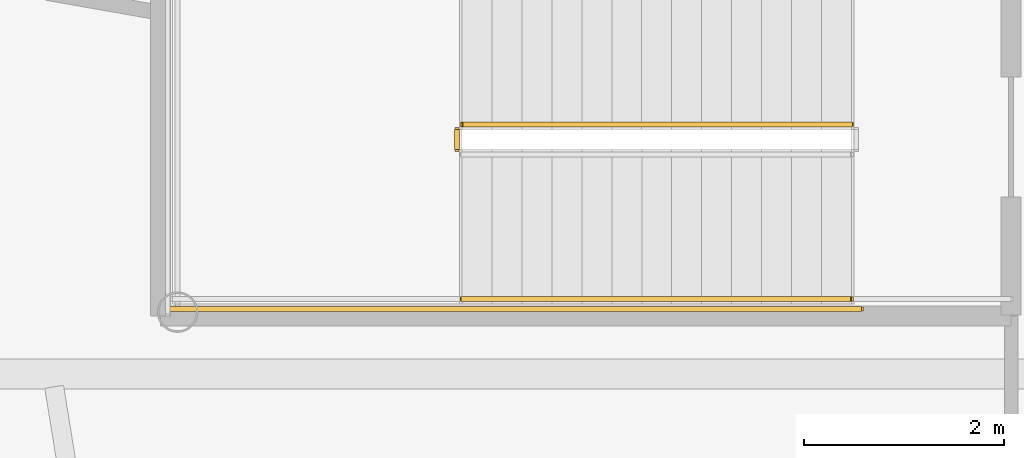
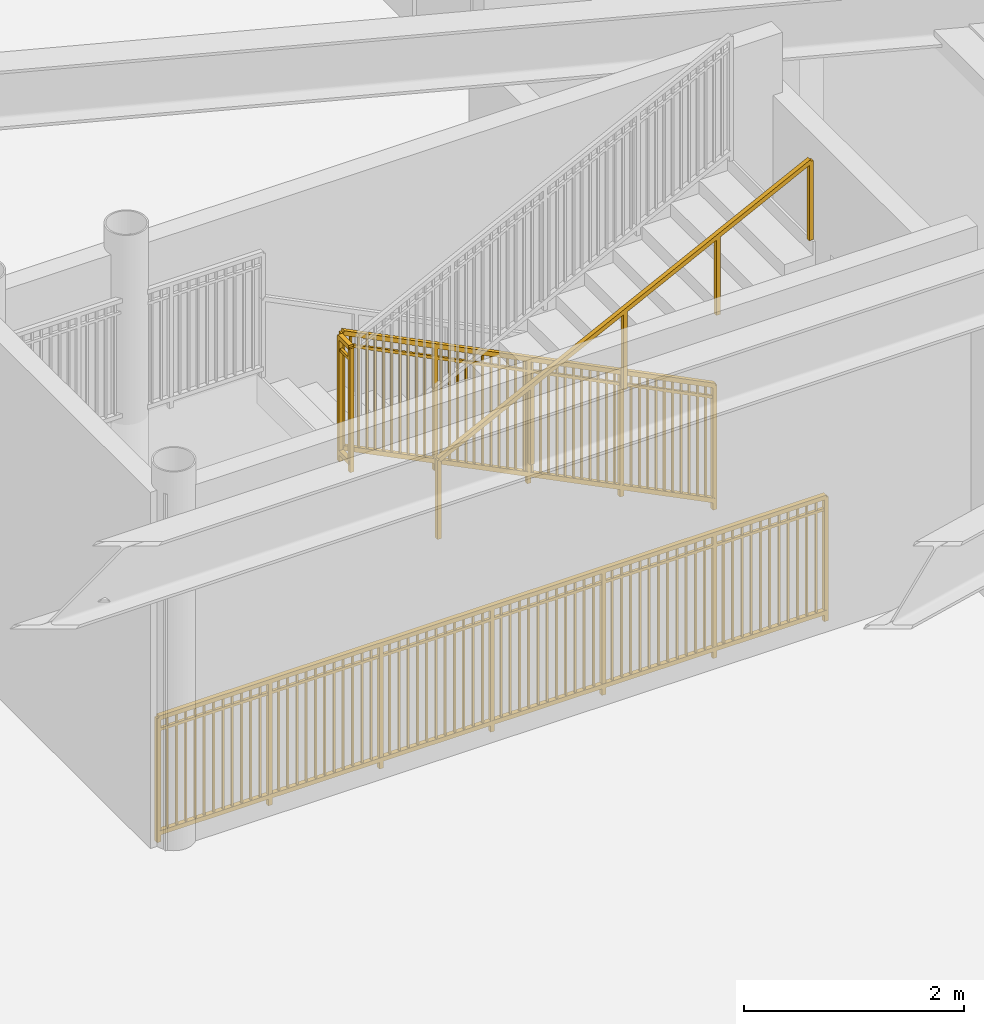
# One storey, part 18 of 28: 4 railings.
"""IFC4 building model written with IfcOpenShell, lengths in metres."""

from ifc_helpers import new_model, si_unit, direction, frame, origin, origin_2d, place, context, subcontext, project, spatial, rectangle, extrude, source, transform, mapped, material, type_object, element, save


model = new_model("IFC4")

# Units and contexts
model_context = context("Model", 3, precision=1e-05, world=origin(), true_north=direction((0.0, 1.0)))
body_context = subcontext(model_context, "Body", "Model", "MODEL_VIEW")
ifc_project = project(units=[si_unit("LENGTHUNIT", "METRE"), si_unit("AREAUNIT", "SQUARE_METRE"), si_unit("VOLUMEUNIT", "CUBIC_METRE"), si_unit("PLANEANGLEUNIT", "RADIAN"), si_unit("MASSUNIT", "GRAM", prefix="KILO")], contexts=[model_context])

# Site, building, storey
site_placement = place(None, origin())
site = spatial("IfcSite", under=ifc_project, at=site_placement, CompositionType="ELEMENT")
building_placement = place(site_placement, origin())
building = spatial("IfcBuilding", under=site, at=building_placement, Name="Linh Dai School and Residence Tower", CompositionType="ELEMENT")
storey_placement = place(building_placement, frame((0.0, 0.0, 36.60009765625)))
storey = spatial("IfcBuildingStorey", under=building, at=storey_placement, Name="L08", CompositionType="ELEMENT", Elevation=36.60009765625)

# Railings
ifc_material_1 = material(Name="Structural Steel S355JR", Category="steel")
railing_type_1 = type_object("IfcRailingType", Name="RL-ST-GUARD-1400", PredefinedType="GUARDRAIL", material=ifc_material_1)
shared_shape_1 = source(origin(), body_context, "Body", "SweptSolid", [
    extrude(rectangle(XDim=0.048095703125, YDim=0.048095703125, at=origin_2d()), frame((0.0, 0.0, 1.3759765625), z_axis=(0.0, -1.0, 0.0), x_axis=(1.0, 0.0, 0.0)), (0.0, 0.0, 1.0), 0.199951171875),
    extrude(rectangle(XDim=0.048095703125, YDim=0.048095703125, at=origin_2d()), frame((0.0, 0.0, 0.10009765625), z_axis=(0.0, -1.0, 0.0), x_axis=(1.0, 0.0, 0.0)), (0.0, 0.0, 1.0), 0.199951171875),
    extrude(rectangle(XDim=0.030029296875, YDim=0.030029296875, at=origin_2d()), frame((0.0, 0.0, 1.239990234375), z_axis=(0.0, -1.0, 0.0), x_axis=(1.0, 0.0, 0.0)), (0.0, 0.0, 1.0), 0.199951171875),
    extrude(rectangle(XDim=0.0419921875, YDim=0.0419921875, at=origin_2d()), origin(), (0.0, 0.0, 1.0), 1.3759765625),
    extrude(rectangle(XDim=0.0419921875, YDim=0.0419921875, at=origin_2d()), frame((0.0, -0.199951171875, 0.0)), (0.0, 0.0, 1.0), 1.3759765625),
])
railing_1_placement = place(storey_placement, frame((18.449951171875, 29.449951171875, 2.099853515625)))
element("IfcRailing", 1, at=railing_1_placement, inside=storey, type_object=railing_type_1, Name="L08 STS1 stair guard 2", PredefinedType="GUARDRAIL", context=body_context, shape_type="MappedRepresentation", body=[
    mapped(shared_shape_1, transform((0.0, 0.0, 0.0), x_axis=(1.0, 0.0, 0.0), y_axis=(0.0, 1.0, 0.0), z_axis=(0.0, 0.0, 1.0), scale=1.0)),
])
shared_shape_2 = source(origin(), body_context, "Body", "SweptSolid", [
    extrude(rectangle(XDim=0.048095703125, YDim=0.048095703125, at=origin_2d()), frame((0.0, 0.0, 1.3759765625), z_axis=(-1.0, 0.0, 0.0), x_axis=(0.0, -1.0, 0.0)), (0.0, 0.0, 1.0), 7.0),
    extrude(rectangle(XDim=0.048095703125, YDim=0.048095703125, at=origin_2d()), frame((0.0, 0.0, 0.10009765625), z_axis=(-1.0, 0.0, 0.0), x_axis=(0.0, -1.0, 0.0)), (0.0, 0.0, 1.0), 7.0),
    extrude(rectangle(XDim=0.030029296875, YDim=0.030029296875, at=origin_2d()), frame((0.0, 0.0, 1.239990234375), z_axis=(-1.0, 0.0, 0.0), x_axis=(0.0, -1.0, 0.0)), (0.0, 0.0, 1.0), 7.0),
    extrude(rectangle(XDim=0.02001953125, YDim=0.02001953125, at=origin_2d()), frame((-0.09716796875, 0.0, 0.10009765625)), (0.0, 0.0, 1.0), 1.251708984375),
    extrude(rectangle(XDim=0.02001953125, YDim=0.02001953125, at=origin_2d()), frame((-0.1943359375, 0.0, 0.10009765625)), (0.0, 0.0, 1.0), 1.251708984375),
    extrude(rectangle(XDim=0.02001953125, YDim=0.02001953125, at=origin_2d()), frame((-0.291748046875, 0.0, 0.10009765625)), (0.0, 0.0, 1.0), 1.251708984375),
    extrude(rectangle(XDim=0.02001953125, YDim=0.02001953125, at=origin_2d()), frame((-0.388916015625, 0.0, 0.10009765625)), (0.0, 0.0, 1.0), 1.251708984375),
    extrude(rectangle(XDim=0.02001953125, YDim=0.02001953125, at=origin_2d()), frame((-0.486083984375, 0.0, 0.10009765625)), (0.0, 0.0, 1.0), 1.251708984375),
    extrude(rectangle(XDim=0.02001953125, YDim=0.02001953125, at=origin_2d()), frame((-0.583251953125, 0.0, 0.10009765625)), (0.0, 0.0, 1.0), 1.251708984375),
    extrude(rectangle(XDim=0.02001953125, YDim=0.02001953125, at=origin_2d()), frame((-0.6806640625, 0.0, 0.10009765625)), (0.0, 0.0, 1.0), 1.251708984375),
    extrude(rectangle(XDim=0.02001953125, YDim=0.02001953125, at=origin_2d()), frame((-0.77783203125, 0.0, 0.10009765625)), (0.0, 0.0, 1.0), 1.251708984375),
    extrude(rectangle(XDim=0.02001953125, YDim=0.02001953125, at=origin_2d()), frame((-0.875, 0.0, 0.10009765625)), (0.0, 0.0, 1.0), 1.251708984375),
    extrude(rectangle(XDim=0.02001953125, YDim=0.02001953125, at=origin_2d()), frame((-0.97216796875, 0.0, 0.10009765625)), (0.0, 0.0, 1.0), 1.251708984375),
    extrude(rectangle(XDim=0.02001953125, YDim=0.02001953125, at=origin_2d()), frame((-1.0693359375, 0.0, 0.10009765625)), (0.0, 0.0, 1.0), 1.251708984375),
    extrude(rectangle(XDim=0.02001953125, YDim=0.02001953125, at=origin_2d()), frame((-1.263916015625, 0.0, 0.10009765625)), (0.0, 0.0, 1.0), 1.251708984375),
    extrude(rectangle(XDim=0.02001953125, YDim=0.02001953125, at=origin_2d()), frame((-1.361083984375, 0.0, 0.10009765625)), (0.0, 0.0, 1.0), 1.251708984375),
    extrude(rectangle(XDim=0.02001953125, YDim=0.02001953125, at=origin_2d()), frame((-1.458251953125, 0.0, 0.10009765625)), (0.0, 0.0, 1.0), 1.251708984375),
    extrude(rectangle(XDim=0.02001953125, YDim=0.02001953125, at=origin_2d()), frame((-1.5556640625, 0.0, 0.10009765625)), (0.0, 0.0, 1.0), 1.251708984375),
    extrude(rectangle(XDim=0.02001953125, YDim=0.02001953125, at=origin_2d()), frame((-1.65283203125, 0.0, 0.10009765625)), (0.0, 0.0, 1.0), 1.251708984375),
    extrude(rectangle(XDim=0.02001953125, YDim=0.02001953125, at=origin_2d()), frame((-1.75, 0.0, 0.10009765625)), (0.0, 0.0, 1.0), 1.251708984375),
    extrude(rectangle(XDim=0.02001953125, YDim=0.02001953125, at=origin_2d()), frame((-1.84716796875, 0.0, 0.10009765625)), (0.0, 0.0, 1.0), 1.251708984375),
    extrude(rectangle(XDim=0.02001953125, YDim=0.02001953125, at=origin_2d()), frame((-1.9443359375, 0.0, 0.10009765625)), (0.0, 0.0, 1.0), 1.251708984375),
    extrude(rectangle(XDim=0.02001953125, YDim=0.02001953125, at=origin_2d()), frame((-2.041748046875, 0.0, 0.10009765625)), (0.0, 0.0, 1.0), 1.251708984375),
    extrude(rectangle(XDim=0.02001953125, YDim=0.02001953125, at=origin_2d()), frame((-2.138916015625, 0.0, 0.10009765625)), (0.0, 0.0, 1.0), 1.251708984375),
    extrude(rectangle(XDim=0.02001953125, YDim=0.02001953125, at=origin_2d()), frame((-2.236083984375, 0.0, 0.10009765625)), (0.0, 0.0, 1.0), 1.251708984375),
    extrude(rectangle(XDim=0.02001953125, YDim=0.02001953125, at=origin_2d()), frame((-2.4306640625, 0.0, 0.10009765625)), (0.0, 0.0, 1.0), 1.251708984375),
    extrude(rectangle(XDim=0.02001953125, YDim=0.02001953125, at=origin_2d()), frame((-2.52783203125, 0.0, 0.10009765625)), (0.0, 0.0, 1.0), 1.251708984375),
    extrude(rectangle(XDim=0.02001953125, YDim=0.02001953125, at=origin_2d()), frame((-2.625, 0.0, 0.10009765625)), (0.0, 0.0, 1.0), 1.251708984375),
    extrude(rectangle(XDim=0.02001953125, YDim=0.02001953125, at=origin_2d()), frame((-2.72216796875, 0.0, 0.10009765625)), (0.0, 0.0, 1.0), 1.251708984375),
    extrude(rectangle(XDim=0.02001953125, YDim=0.02001953125, at=origin_2d()), frame((-2.8193359375, 0.0, 0.10009765625)), (0.0, 0.0, 1.0), 1.251708984375),
    extrude(rectangle(XDim=0.02001953125, YDim=0.02001953125, at=origin_2d()), frame((-2.916748046875, 0.0, 0.10009765625)), (0.0, 0.0, 1.0), 1.251708984375),
    extrude(rectangle(XDim=0.02001953125, YDim=0.02001953125, at=origin_2d()), frame((-3.013916015625, 0.0, 0.10009765625)), (0.0, 0.0, 1.0), 1.251708984375),
    extrude(rectangle(XDim=0.02001953125, YDim=0.02001953125, at=origin_2d()), frame((-3.111083984375, 0.0, 0.10009765625)), (0.0, 0.0, 1.0), 1.251708984375),
    extrude(rectangle(XDim=0.02001953125, YDim=0.02001953125, at=origin_2d()), frame((-3.208251953125, 0.0, 0.10009765625)), (0.0, 0.0, 1.0), 1.251708984375),
    extrude(rectangle(XDim=0.02001953125, YDim=0.02001953125, at=origin_2d()), frame((-3.3056640625, 0.0, 0.10009765625)), (0.0, 0.0, 1.0), 1.251708984375),
    extrude(rectangle(XDim=0.02001953125, YDim=0.02001953125, at=origin_2d()), frame((-3.40283203125, 0.0, 0.10009765625)), (0.0, 0.0, 1.0), 1.251708984375),
    extrude(rectangle(XDim=0.02001953125, YDim=0.02001953125, at=origin_2d()), frame((-3.59716796875, 0.0, 0.10009765625)), (0.0, 0.0, 1.0), 1.251708984375),
    extrude(rectangle(XDim=0.02001953125, YDim=0.02001953125, at=origin_2d()), frame((-3.6943359375, 0.0, 0.10009765625)), (0.0, 0.0, 1.0), 1.251708984375),
    extrude(rectangle(XDim=0.02001953125, YDim=0.02001953125, at=origin_2d()), frame((-3.791748046875, 0.0, 0.10009765625)), (0.0, 0.0, 1.0), 1.251708984375),
    extrude(rectangle(XDim=0.02001953125, YDim=0.02001953125, at=origin_2d()), frame((-3.888916015625, 0.0, 0.10009765625)), (0.0, 0.0, 1.0), 1.251708984375),
    extrude(rectangle(XDim=0.02001953125, YDim=0.02001953125, at=origin_2d()), frame((-3.986083984375, 0.0, 0.10009765625)), (0.0, 0.0, 1.0), 1.251708984375),
    extrude(rectangle(XDim=0.02001953125, YDim=0.02001953125, at=origin_2d()), frame((-4.083251953125, 0.0, 0.10009765625)), (0.0, 0.0, 1.0), 1.251708984375),
    extrude(rectangle(XDim=0.02001953125, YDim=0.02001953125, at=origin_2d()), frame((-4.1806640625, 0.0, 0.10009765625)), (0.0, 0.0, 1.0), 1.251708984375),
    extrude(rectangle(XDim=0.02001953125, YDim=0.02001953125, at=origin_2d()), frame((-4.27783203125, 0.0, 0.10009765625)), (0.0, 0.0, 1.0), 1.251708984375),
    extrude(rectangle(XDim=0.02001953125, YDim=0.02001953125, at=origin_2d()), frame((-4.375, 0.0, 0.10009765625)), (0.0, 0.0, 1.0), 1.251708984375),
    extrude(rectangle(XDim=0.02001953125, YDim=0.02001953125, at=origin_2d()), frame((-4.47216796875, 0.0, 0.10009765625)), (0.0, 0.0, 1.0), 1.251708984375),
    extrude(rectangle(XDim=0.02001953125, YDim=0.02001953125, at=origin_2d()), frame((-4.5693359375, 0.0, 0.10009765625)), (0.0, 0.0, 1.0), 1.251708984375),
    extrude(rectangle(XDim=0.02001953125, YDim=0.02001953125, at=origin_2d()), frame((-4.763916015625, 0.0, 0.10009765625)), (0.0, 0.0, 1.0), 1.251708984375),
    extrude(rectangle(XDim=0.02001953125, YDim=0.02001953125, at=origin_2d()), frame((-4.861083984375, 0.0, 0.10009765625)), (0.0, 0.0, 1.0), 1.251708984375),
    extrude(rectangle(XDim=0.02001953125, YDim=0.02001953125, at=origin_2d()), frame((-4.958251953125, 0.0, 0.10009765625)), (0.0, 0.0, 1.0), 1.251708984375),
    extrude(rectangle(XDim=0.02001953125, YDim=0.02001953125, at=origin_2d()), frame((-5.0556640625, 0.0, 0.10009765625)), (0.0, 0.0, 1.0), 1.251708984375),
    extrude(rectangle(XDim=0.02001953125, YDim=0.02001953125, at=origin_2d()), frame((-5.15283203125, 0.0, 0.10009765625)), (0.0, 0.0, 1.0), 1.251708984375),
    extrude(rectangle(XDim=0.02001953125, YDim=0.02001953125, at=origin_2d()), frame((-5.25, 0.0, 0.10009765625)), (0.0, 0.0, 1.0), 1.251708984375),
    extrude(rectangle(XDim=0.02001953125, YDim=0.02001953125, at=origin_2d()), frame((-5.34716796875, 0.0, 0.10009765625)), (0.0, 0.0, 1.0), 1.251708984375),
    extrude(rectangle(XDim=0.02001953125, YDim=0.02001953125, at=origin_2d()), frame((-5.4443359375, 0.0, 0.10009765625)), (0.0, 0.0, 1.0), 1.251708984375),
    extrude(rectangle(XDim=0.02001953125, YDim=0.02001953125, at=origin_2d()), frame((-5.541748046875, 0.0, 0.10009765625)), (0.0, 0.0, 1.0), 1.251708984375),
    extrude(rectangle(XDim=0.02001953125, YDim=0.02001953125, at=origin_2d()), frame((-5.638916015625, 0.0, 0.10009765625)), (0.0, 0.0, 1.0), 1.251708984375),
    extrude(rectangle(XDim=0.02001953125, YDim=0.02001953125, at=origin_2d()), frame((-5.736083984375, 0.0, 0.10009765625)), (0.0, 0.0, 1.0), 1.251708984375),
    extrude(rectangle(XDim=0.02001953125, YDim=0.02001953125, at=origin_2d()), frame((-5.9306640625, 0.0, 0.10009765625)), (0.0, 0.0, 1.0), 1.251708984375),
    extrude(rectangle(XDim=0.02001953125, YDim=0.02001953125, at=origin_2d()), frame((-6.02783203125, 0.0, 0.10009765625)), (0.0, 0.0, 1.0), 1.251708984375),
    extrude(rectangle(XDim=0.02001953125, YDim=0.02001953125, at=origin_2d()), frame((-6.125, 0.0, 0.10009765625)), (0.0, 0.0, 1.0), 1.251708984375),
    extrude(rectangle(XDim=0.02001953125, YDim=0.02001953125, at=origin_2d()), frame((-6.22216796875, 0.0, 0.10009765625)), (0.0, 0.0, 1.0), 1.251708984375),
    extrude(rectangle(XDim=0.02001953125, YDim=0.02001953125, at=origin_2d()), frame((-6.3193359375, 0.0, 0.10009765625)), (0.0, 0.0, 1.0), 1.251708984375),
    extrude(rectangle(XDim=0.02001953125, YDim=0.02001953125, at=origin_2d()), frame((-6.416748046875, 0.0, 0.10009765625)), (0.0, 0.0, 1.0), 1.251708984375),
    extrude(rectangle(XDim=0.02001953125, YDim=0.02001953125, at=origin_2d()), frame((-6.513916015625, 0.0, 0.10009765625)), (0.0, 0.0, 1.0), 1.251708984375),
    extrude(rectangle(XDim=0.02001953125, YDim=0.02001953125, at=origin_2d()), frame((-6.611083984375, 0.0, 0.10009765625)), (0.0, 0.0, 1.0), 1.251708984375),
    extrude(rectangle(XDim=0.02001953125, YDim=0.02001953125, at=origin_2d()), frame((-6.708251953125, 0.0, 0.10009765625)), (0.0, 0.0, 1.0), 1.251708984375),
    extrude(rectangle(XDim=0.02001953125, YDim=0.02001953125, at=origin_2d()), frame((-6.8056640625, 0.0, 0.10009765625)), (0.0, 0.0, 1.0), 1.251708984375),
    extrude(rectangle(XDim=0.02001953125, YDim=0.02001953125, at=origin_2d()), frame((-6.90283203125, 0.0, 0.10009765625)), (0.0, 0.0, 1.0), 1.251708984375),
    extrude(rectangle(XDim=0.0419921875, YDim=0.0419921875, at=origin_2d()), origin(), (0.0, 0.0, 1.0), 1.3759765625),
    extrude(rectangle(XDim=0.0419921875, YDim=0.0419921875, at=origin_2d()), frame((-1.166748046875, 0.0, 0.0)), (0.0, 0.0, 1.0), 1.3759765625),
    extrude(rectangle(XDim=0.0419921875, YDim=0.0419921875, at=origin_2d()), frame((-2.333251953125, 0.0, 0.0)), (0.0, 0.0, 1.0), 1.3759765625),
    extrude(rectangle(XDim=0.0419921875, YDim=0.0419921875, at=origin_2d()), frame((-3.5, 0.0, 0.0)), (0.0, 0.0, 1.0), 1.3759765625),
    extrude(rectangle(XDim=0.0419921875, YDim=0.0419921875, at=origin_2d()), frame((-4.666748046875, 0.0, 0.0)), (0.0, 0.0, 1.0), 1.3759765625),
    extrude(rectangle(XDim=0.0419921875, YDim=0.0419921875, at=origin_2d()), frame((-5.833251953125, 0.0, 0.0)), (0.0, 0.0, 1.0), 1.3759765625),
    extrude(rectangle(XDim=0.0419921875, YDim=0.0419921875, at=origin_2d()), frame((-7.0, 0.0, 0.0)), (0.0, 0.0, 1.0), 1.3759765625),
])
railing_2_placement = place(storey_placement, frame((22.5, 27.64990234375, 0.0)))
element("IfcRailing", 2, at=railing_2_placement, inside=storey, type_object=railing_type_1, Name="L08 STS1 stair guard 11", PredefinedType="GUARDRAIL", context=body_context, shape_type="MappedRepresentation", body=[
    mapped(shared_shape_2, transform((0.0, 0.0, 0.0), x_axis=(1.0, 0.0, 0.0), y_axis=(0.0, 1.0, 0.0), z_axis=(0.0, 0.0, 1.0), scale=1.0)),
])
ifc_material_2 = material(Name="Brushed Stainless Steel Handrail", Category="steel")
railing_type_2 = type_object("IfcRailingType", Name="RL-ST-HANDRAIL-900", PredefinedType="HANDRAIL", material=ifc_material_2)
shared_shape_3 = source(origin(), body_context, "Body", "SweptSolid", [
    extrude(rectangle(XDim=0.048095703125, YDim=0.048095703125, at=origin_2d()), frame((0.0, 0.0, 0.8759765625), z_axis=(0.894427191, 0.0, 0.4472135955), x_axis=(0.0, 1.0, 0.0)), (0.0, 0.0, 1.0), 4.360107421875),
    extrude(rectangle(XDim=0.0419921875, YDim=0.0419921875, at=origin_2d()), origin(), (0.0, 0.0, 1.0), 0.8759765625),
    extrude(rectangle(XDim=0.0419921875, YDim=0.0419921875, at=origin_2d()), frame((0.97509765625, 0.0, 0.487548828125)), (0.0, 0.0, 1.0), 0.8759765625),
    extrude(rectangle(XDim=0.0419921875, YDim=0.0419921875, at=origin_2d()), frame((1.949951171875, 0.0, 0.97509765625)), (0.0, 0.0, 1.0), 0.8759765625),
    extrude(rectangle(XDim=0.0419921875, YDim=0.0419921875, at=origin_2d()), frame((2.9248046875, 0.0, 1.46240234375)), (0.0, 0.0, 1.0), 0.8759765625),
    extrude(rectangle(XDim=0.0419921875, YDim=0.0419921875, at=origin_2d()), frame((3.89990234375, 0.0, 1.949951171875)), (0.0, 0.0, 1.0), 0.8759765625),
])
railing_3_placement = place(storey_placement, frame((18.5, 27.75, 2.25)))
element("IfcRailing", 3, at=railing_3_placement, inside=storey, type_object=railing_type_2, Name="L08 STS1 stair handrail 2", PredefinedType="HANDRAIL", context=body_context, shape_type="MappedRepresentation", body=[
    mapped(shared_shape_3, transform((0.0, 0.0, 0.0), x_axis=(1.0, 0.0, 0.0), y_axis=(0.0, 1.0, 0.0), z_axis=(0.0, 0.0, 1.0), scale=1.0)),
])
shared_shape_4 = source(origin(), body_context, "Body", "SweptSolid", [
    extrude(rectangle(XDim=0.048095703125, YDim=0.048095703125, at=origin_2d()), frame((0.0, 0.0, 1.3759765625), z_axis=(-0.894427191, 0.0, 0.4472135955), x_axis=(0.0, -1.0, 0.0)), (0.0, 0.0, 1.0), 4.360107421875),
    extrude(rectangle(XDim=0.048095703125, YDim=0.048095703125, at=origin_2d()), frame((0.0, 0.0, 0.10009765625), z_axis=(-0.894427191, 0.0, 0.4472135955), x_axis=(0.0, -1.0, 0.0)), (0.0, 0.0, 1.0), 4.360107421875),
    extrude(rectangle(XDim=0.030029296875, YDim=0.030029296875, at=origin_2d()), frame((0.0, 0.0, 1.239990234375), z_axis=(-0.894427191, 0.0, 0.4472135955), x_axis=(0.0, -1.0, 0.0)), (0.0, 0.0, 1.0), 4.360107421875),
    extrude(rectangle(XDim=0.02001953125, YDim=0.02001953125, at=origin_2d()), frame((-0.086669921875, 0.0, 0.143310546875)), (0.0, 0.0, 1.0), 1.251708984375),
    extrude(rectangle(XDim=0.02001953125, YDim=0.02001953125, at=origin_2d()), frame((-0.17333984375, 0.0, 0.186767578125)), (0.0, 0.0, 1.0), 1.251708984375),
    extrude(rectangle(XDim=0.02001953125, YDim=0.02001953125, at=origin_2d()), frame((-0.260009765625, 0.0, 0.22998046875)), (0.0, 0.0, 1.0), 1.251708984375),
    extrude(rectangle(XDim=0.02001953125, YDim=0.02001953125, at=origin_2d()), frame((-0.3466796875, 0.0, 0.2734375)), (0.0, 0.0, 1.0), 1.251708984375),
    extrude(rectangle(XDim=0.02001953125, YDim=0.02001953125, at=origin_2d()), frame((-0.433349609375, 0.0, 0.316650390625)), (0.0, 0.0, 1.0), 1.251708984375),
    extrude(rectangle(XDim=0.02001953125, YDim=0.02001953125, at=origin_2d()), frame((-0.52001953125, 0.0, 0.360107421875)), (0.0, 0.0, 1.0), 1.251708984375),
    extrude(rectangle(XDim=0.02001953125, YDim=0.02001953125, at=origin_2d()), frame((-0.606689453125, 0.0, 0.4033203125)), (0.0, 0.0, 1.0), 1.251708984375),
    extrude(rectangle(XDim=0.02001953125, YDim=0.02001953125, at=origin_2d()), frame((-0.693359375, 0.0, 0.44677734375)), (0.0, 0.0, 1.0), 1.251708984375),
    extrude(rectangle(XDim=0.02001953125, YDim=0.02001953125, at=origin_2d()), frame((-0.780029296875, 0.0, 0.489990234375)), (0.0, 0.0, 1.0), 1.251708984375),
    extrude(rectangle(XDim=0.02001953125, YDim=0.02001953125, at=origin_2d()), frame((-0.86669921875, 0.0, 0.533447265625)), (0.0, 0.0, 1.0), 1.251708984375),
    extrude(rectangle(XDim=0.02001953125, YDim=0.02001953125, at=origin_2d()), frame((-1.0400390625, 0.0, 0.6201171875)), (0.0, 0.0, 1.0), 1.251708984375),
    extrude(rectangle(XDim=0.02001953125, YDim=0.02001953125, at=origin_2d()), frame((-1.126708984375, 0.0, 0.663330078125)), (0.0, 0.0, 1.0), 1.251708984375),
    extrude(rectangle(XDim=0.02001953125, YDim=0.02001953125, at=origin_2d()), frame((-1.21337890625, 0.0, 0.706787109375)), (0.0, 0.0, 1.0), 1.251708984375),
    extrude(rectangle(XDim=0.02001953125, YDim=0.02001953125, at=origin_2d()), frame((-1.300048828125, 0.0, 0.75)), (0.0, 0.0, 1.0), 1.251708984375),
    extrude(rectangle(XDim=0.02001953125, YDim=0.02001953125, at=origin_2d()), frame((-1.38671875, 0.0, 0.79345703125)), (0.0, 0.0, 1.0), 1.251708984375),
    extrude(rectangle(XDim=0.02001953125, YDim=0.02001953125, at=origin_2d()), frame((-1.473388671875, 0.0, 0.836669921875)), (0.0, 0.0, 1.0), 1.251708984375),
    extrude(rectangle(XDim=0.02001953125, YDim=0.02001953125, at=origin_2d()), frame((-1.56005859375, 0.0, 0.880126953125)), (0.0, 0.0, 1.0), 1.251708984375),
    extrude(rectangle(XDim=0.02001953125, YDim=0.02001953125, at=origin_2d()), frame((-1.646728515625, 0.0, 0.92333984375)), (0.0, 0.0, 1.0), 1.251708984375),
    extrude(rectangle(XDim=0.02001953125, YDim=0.02001953125, at=origin_2d()), frame((-1.7333984375, 0.0, 0.966796875)), (0.0, 0.0, 1.0), 1.251708984375),
    extrude(rectangle(XDim=0.02001953125, YDim=0.02001953125, at=origin_2d()), frame((-1.820068359375, 0.0, 1.010009765625)), (0.0, 0.0, 1.0), 1.251708984375),
    extrude(rectangle(XDim=0.02001953125, YDim=0.02001953125, at=origin_2d()), frame((-1.90673828125, 0.0, 1.053466796875)), (0.0, 0.0, 1.0), 1.251708984375),
    extrude(rectangle(XDim=0.02001953125, YDim=0.02001953125, at=origin_2d()), frame((-1.9931640625, 0.0, 1.0966796875)), (0.0, 0.0, 1.0), 1.251708984375),
    extrude(rectangle(XDim=0.02001953125, YDim=0.02001953125, at=origin_2d()), frame((-2.079833984375, 0.0, 1.14013671875)), (0.0, 0.0, 1.0), 1.251708984375),
    extrude(rectangle(XDim=0.02001953125, YDim=0.02001953125, at=origin_2d()), frame((-2.16650390625, 0.0, 1.183349609375)), (0.0, 0.0, 1.0), 1.251708984375),
    extrude(rectangle(XDim=0.02001953125, YDim=0.02001953125, at=origin_2d()), frame((-2.253173828125, 0.0, 1.226806640625)), (0.0, 0.0, 1.0), 1.251708984375),
    extrude(rectangle(XDim=0.02001953125, YDim=0.02001953125, at=origin_2d()), frame((-2.33984375, 0.0, 1.27001953125)), (0.0, 0.0, 1.0), 1.251708984375),
    extrude(rectangle(XDim=0.02001953125, YDim=0.02001953125, at=origin_2d()), frame((-2.426513671875, 0.0, 1.3134765625)), (0.0, 0.0, 1.0), 1.251708984375),
    extrude(rectangle(XDim=0.02001953125, YDim=0.02001953125, at=origin_2d()), frame((-2.51318359375, 0.0, 1.356689453125)), (0.0, 0.0, 1.0), 1.251708984375),
    extrude(rectangle(XDim=0.02001953125, YDim=0.02001953125, at=origin_2d()), frame((-2.599853515625, 0.0, 1.400146484375)), (0.0, 0.0, 1.0), 1.251708984375),
    extrude(rectangle(XDim=0.02001953125, YDim=0.02001953125, at=origin_2d()), frame((-2.6865234375, 0.0, 1.443359375)), (0.0, 0.0, 1.0), 1.251708984375),
    extrude(rectangle(XDim=0.02001953125, YDim=0.02001953125, at=origin_2d()), frame((-2.773193359375, 0.0, 1.48681640625)), (0.0, 0.0, 1.0), 1.251708984375),
    extrude(rectangle(XDim=0.02001953125, YDim=0.02001953125, at=origin_2d()), frame((-2.85986328125, 0.0, 1.530029296875)), (0.0, 0.0, 1.0), 1.251708984375),
    extrude(rectangle(XDim=0.02001953125, YDim=0.02001953125, at=origin_2d()), frame((-3.033203125, 0.0, 1.61669921875)), (0.0, 0.0, 1.0), 1.251708984375),
    extrude(rectangle(XDim=0.02001953125, YDim=0.02001953125, at=origin_2d()), frame((-3.119873046875, 0.0, 1.66015625)), (0.0, 0.0, 1.0), 1.251708984375),
    extrude(rectangle(XDim=0.02001953125, YDim=0.02001953125, at=origin_2d()), frame((-3.20654296875, 0.0, 1.703369140625)), (0.0, 0.0, 1.0), 1.251708984375),
    extrude(rectangle(XDim=0.02001953125, YDim=0.02001953125, at=origin_2d()), frame((-3.293212890625, 0.0, 1.746826171875)), (0.0, 0.0, 1.0), 1.251708984375),
    extrude(rectangle(XDim=0.02001953125, YDim=0.02001953125, at=origin_2d()), frame((-3.3798828125, 0.0, 1.7900390625)), (0.0, 0.0, 1.0), 1.251708984375),
    extrude(rectangle(XDim=0.02001953125, YDim=0.02001953125, at=origin_2d()), frame((-3.466552734375, 0.0, 1.83349609375)), (0.0, 0.0, 1.0), 1.251708984375),
    extrude(rectangle(XDim=0.02001953125, YDim=0.02001953125, at=origin_2d()), frame((-3.55322265625, 0.0, 1.876708984375)), (0.0, 0.0, 1.0), 1.251708984375),
    extrude(rectangle(XDim=0.02001953125, YDim=0.02001953125, at=origin_2d()), frame((-3.639892578125, 0.0, 1.920166015625)), (0.0, 0.0, 1.0), 1.251708984375),
    extrude(rectangle(XDim=0.02001953125, YDim=0.02001953125, at=origin_2d()), frame((-3.7265625, 0.0, 1.96337890625)), (0.0, 0.0, 1.0), 1.251708984375),
    extrude(rectangle(XDim=0.02001953125, YDim=0.02001953125, at=origin_2d()), frame((-3.813232421875, 0.0, 2.0068359375)), (0.0, 0.0, 1.0), 1.251708984375),
    extrude(rectangle(XDim=0.0419921875, YDim=0.0419921875, at=origin_2d()), origin(), (0.0, 0.0, 1.0), 1.3759765625),
    extrude(rectangle(XDim=0.0419921875, YDim=0.0419921875, at=origin_2d()), frame((-0.97509765625, 0.0, 0.487548828125)), (0.0, 0.0, 1.0), 1.3759765625),
    extrude(rectangle(XDim=0.0419921875, YDim=0.0419921875, at=origin_2d()), frame((-1.949951171875, 0.0, 0.97509765625)), (0.0, 0.0, 1.0), 1.3759765625),
    extrude(rectangle(XDim=0.0419921875, YDim=0.0419921875, at=origin_2d()), frame((-2.9248046875, 0.0, 1.46240234375)), (0.0, 0.0, 1.0), 1.3759765625),
    extrude(rectangle(XDim=0.0419921875, YDim=0.0419921875, at=origin_2d()), frame((-3.89990234375, 0.0, 1.949951171875)), (0.0, 0.0, 1.0), 1.3759765625),
])
railing_4_placement = place(storey_placement, frame((22.39990234375, 29.5, 0.14990234375)))
element("IfcRailing", 4, at=railing_4_placement, inside=storey, type_object=railing_type_1, Name="L08 STS1 stair guard 1", PredefinedType="GUARDRAIL", context=body_context, shape_type="MappedRepresentation", body=[
    mapped(shared_shape_4, transform((0.0, 0.0, 0.0), x_axis=(1.0, 0.0, 0.0), y_axis=(0.0, 1.0, 0.0), z_axis=(0.0, 0.0, 1.0), scale=1.0)),
])

save(model, "model.ifc")
